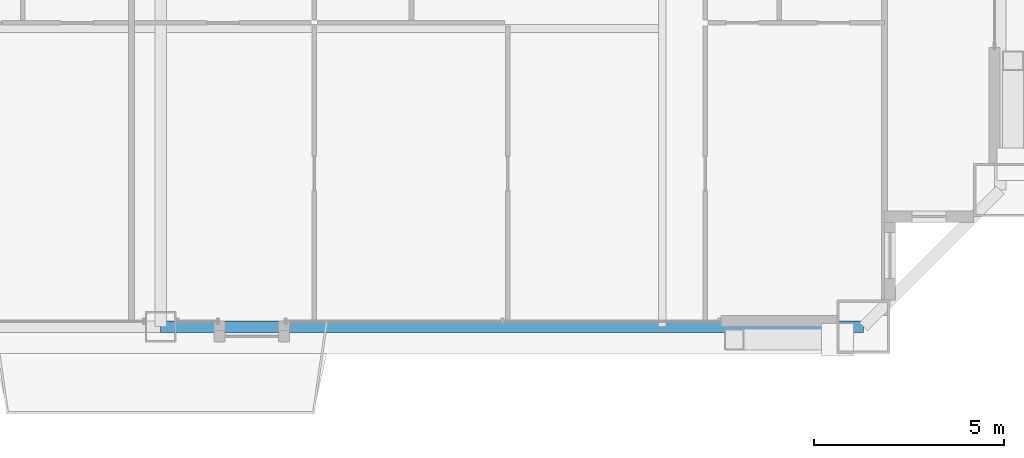
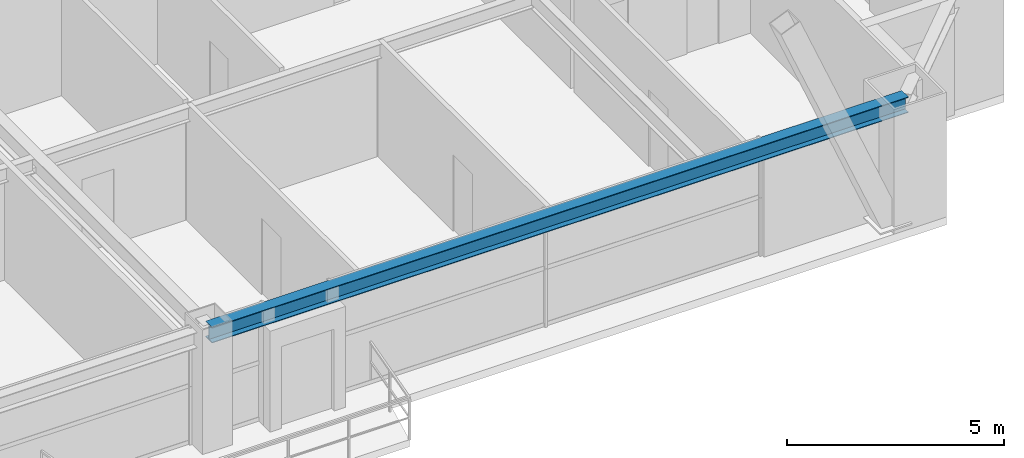
# One storey, part 11 of 45: 1 beam.
"""IFC4 building model written with IfcOpenShell, lengths in metres."""

from ifc_helpers import new_model, si_unit, direction, frame, origin, origin_2d, place, context, subcontext, project, spatial, i_section, extrude, source, transform, mapped, material, material_profile, profile_set, type_object, element, save


model = new_model("IFC4")

# Units and contexts
model_context = context("Model", 3, precision=1e-05, world=origin(), true_north=direction((0.0, 1.0)))
body_context = subcontext(model_context, "Body", "Model", "MODEL_VIEW")
ifc_project = project(units=[si_unit("LENGTHUNIT", "METRE"), si_unit("AREAUNIT", "SQUARE_METRE"), si_unit("VOLUMEUNIT", "CUBIC_METRE"), si_unit("PLANEANGLEUNIT", "RADIAN"), si_unit("MASSUNIT", "GRAM", prefix="KILO"), si_unit("THERMODYNAMICTEMPERATUREUNIT", "KELVIN"), si_unit("POWERUNIT", "WATT")], contexts=[model_context])

# Site, building, storey
site_placement = place(None, origin())
site = spatial("IfcSite", under=ifc_project, at=site_placement, CompositionType="ELEMENT")
building_placement = place(site_placement, origin())
building = spatial("IfcBuilding", under=site, at=building_placement, Name="Yuzanri Waterfront Tower", CompositionType="ELEMENT")
storey_placement = place(building_placement, frame((0.0, 0.0, 191.5)))
storey = spatial("IfcBuildingStorey", under=building, at=storey_placement, Name="L50", CompositionType="ELEMENT", Elevation=191.5)

# Beam
ifc_material = material(Name="Steel Q355B", Category="steel")
ifc_material_profile = material_profile(ifc_material, i_section(OverallWidth=0.300048828125, OverallDepth=0.43994140625, WebThickness=0.010986328125, FlangeThickness=0.01806640625, at=origin_2d()), Name="HM 440x300x11x18")
ifc_profile_set = profile_set([ifc_material_profile], Name="Steel Q355B")
beam_type = type_object("IfcBeamType", Name="Perimeter Spandrel Q355B HM 440x300", PredefinedType="SPANDREL", material=ifc_profile_set)
shared_shape = source(origin(), body_context, "Body", "SweptSolid", [
    extrude(i_section(OverallWidth=0.300048828125, OverallDepth=0.43994140625, WebThickness=0.010986328125, FlangeThickness=0.01806640625, at=origin_2d()), origin(), (0.0, 0.0, 1.0), 18.5),
])
beam_placement = place(storey_placement, frame((37.0, 3.699951171875, 3.06005859375), z_axis=(1.0, 0.0, 0.0), x_axis=(0.0, 1.0, 0.0)))
element("IfcBeam", 1, at=beam_placement, inside=storey, type_object=beam_type, Name="L50 Perimeter Spandrel S2-S3", PredefinedType="SPANDREL", context=body_context, shape_type="MappedRepresentation", body=[
    mapped(shared_shape, transform((0.0, 0.0, 0.0), scale=1.0)),
])

save(model, "model.ifc")
